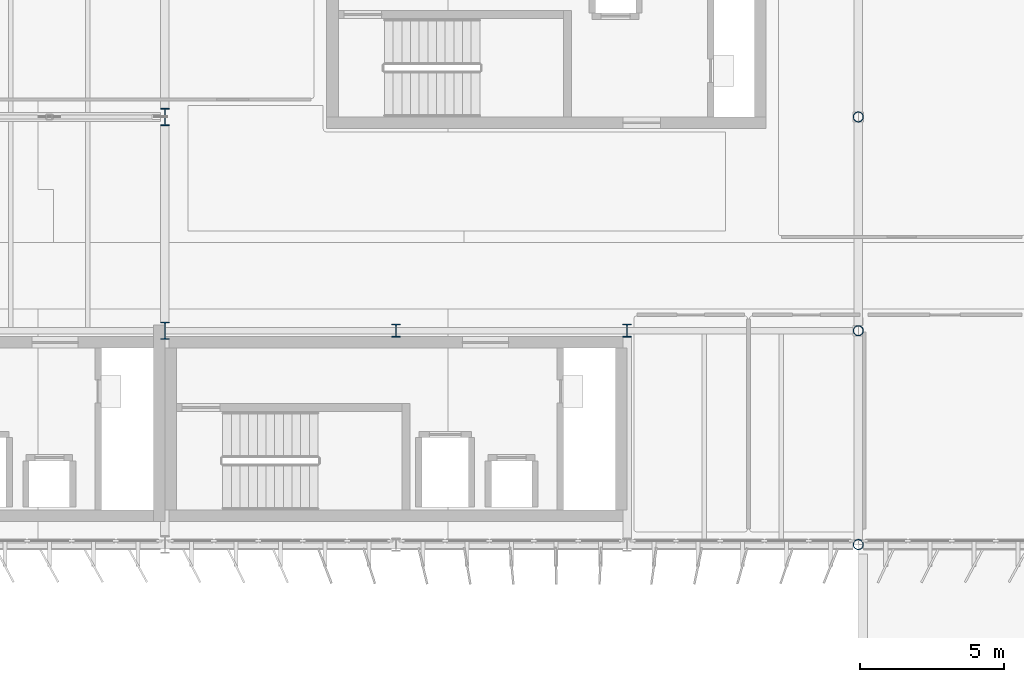
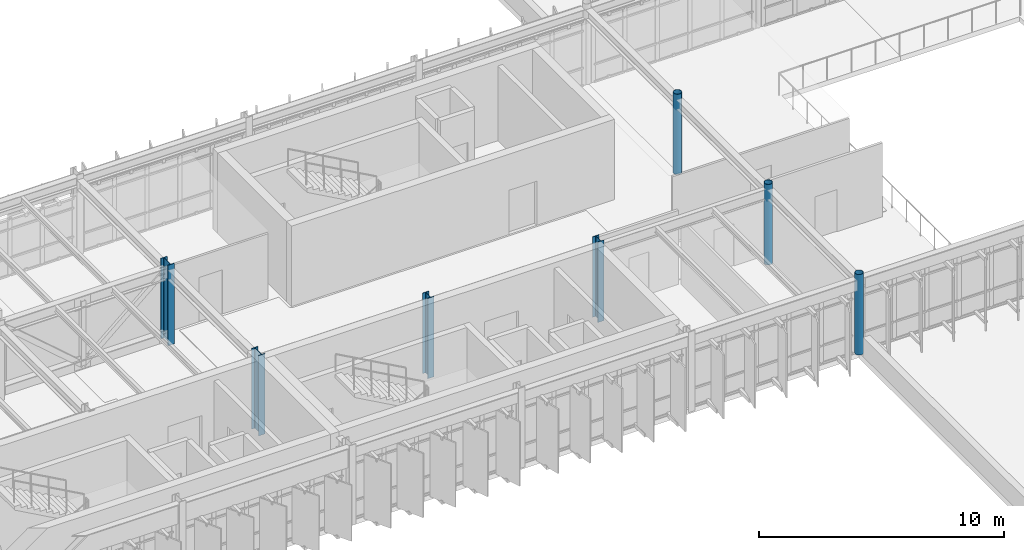
# One storey, part 2 of 56: 7 columns.
"""IFC4 building model written with IfcOpenShell, lengths in metres."""

import ifcopenshell
import ifcopenshell.guid

model = None  # the IFC model being written
_history = None  # IfcOwnerHistory: only IFC2X3 demands one
_inside = {}  # id of a spatial element -> (the spatial element, [elements in it])
_under = {}  # id of a project, library or spatial element -> (it, [spatial elements below it])
_declared = {}  # id of a project -> (the project, [libraries it declares])
_typed = {}  # id of a type object -> (the type object, [elements of that type])
_made_of = {}  # id of a material, layer set ... -> (it, [elements and type objects made of it])


def new_model(schema):
    """Start an empty IFC model of exactly this schema.

    Asked for "IFC4X3", IfcOpenShell would pick the latest addendum, in which some entities
    have other attributes; the version numbers below select the first issue.
    IFC2X3 requires an IfcOwnerHistory on every rooted entity: one is made here for all.
    """
    global model, _history
    if schema == "IFC4X3":
        model = ifcopenshell.file(schema_version=(4, 3, 0, 0))
    else:
        model = ifcopenshell.file(schema=schema)
    _inside.clear()
    _under.clear()
    _declared.clear()
    _typed.clear()
    _made_of.clear()
    _history = None
    if model.schema == "IFC2X3":
        org = make("IfcOrganization", Name="unknown")
        user = make(
            "IfcPersonAndOrganization",
            ThePerson=make("IfcPerson", FamilyName="unknown"),
            TheOrganization=org,
        )
        app = make(
            "IfcApplication",
            ApplicationDeveloper=org,
            Version="unknown",
            ApplicationFullName="unknown",
            ApplicationIdentifier="unknown",
        )
        _history = make(
            "IfcOwnerHistory",
            OwningUser=user,
            OwningApplication=app,
            ChangeAction="ADDED",
            CreationDate=0,
        )
    return model


def make(cls, **values):
    """One entity of the class cls with the attributes given. An attribute that is None is left unset."""
    return model.create_entity(
        cls, **{name: value for name, value in values.items() if value is not None}
    )


def rooted(cls, **values):
    """An entity with a GlobalId (a new one), such as an element, a storey or a relation."""
    return make(cls, GlobalId=ifcopenshell.guid.new(), OwnerHistory=_history, **values)


def si_unit(unit_type, name, prefix=None):
    """IfcSIUnit, for example si_unit("LENGTHUNIT", "METRE", prefix="MILLI")."""
    return make("IfcSIUnit", UnitType=unit_type, Prefix=prefix, Name=name)


def assignment(units):
    """IfcUnitAssignment: the units of a project."""
    return None if units is None else make("IfcUnitAssignment", Units=units)


def point(xyz):
    """IfcCartesianPoint."""
    return None if xyz is None else make("IfcCartesianPoint", Coordinates=xyz)


def direction(xyz):
    """IfcDirection."""
    return None if xyz is None else make("IfcDirection", DirectionRatios=xyz)


def frame(location, z_axis=None, x_axis=None):
    """IfcAxis2Placement3D, a coordinate frame: its origin and axes. An axis left out is left unset."""
    return make(
        "IfcAxis2Placement3D",
        Location=point(location),
        Axis=direction(z_axis),
        RefDirection=direction(x_axis),
    )


def frame_2d(location, x_axis=None):
    """IfcAxis2Placement2D, a coordinate frame in the plane: its origin and x axis."""
    return make(
        "IfcAxis2Placement2D", Location=point(location), RefDirection=direction(x_axis)
    )


def origin():
    """The frame at (0, 0, 0) with its axes left unset."""
    return frame((0.0, 0.0, 0.0))


def origin_2d():
    """The frame at (0, 0) in the plane with its x axis left unset."""
    return frame_2d((0.0, 0.0))


def place(relative_to, where):
    """IfcLocalPlacement: puts the frame where relative to a parent placement (None: the world)."""
    return make(
        "IfcLocalPlacement", PlacementRelTo=relative_to, RelativePlacement=where
    )


def context(
    kind, dimensions, precision=None, world=None, true_north=None, identifier=None
):
    """IfcGeometricRepresentationContext, for example the 3D "Model" context."""
    return make(
        "IfcGeometricRepresentationContext",
        ContextIdentifier=identifier,
        ContextType=kind,
        CoordinateSpaceDimension=dimensions,
        Precision=precision,
        WorldCoordinateSystem=world,
        TrueNorth=true_north,
    )


def subcontext(parent, identifier, kind, view, scale=None):
    """IfcGeometricRepresentationSubContext, for example "Body" below "Model"."""
    return make(
        "IfcGeometricRepresentationSubContext",
        ContextIdentifier=identifier,
        ContextType=kind,
        ParentContext=parent,
        TargetScale=scale,
        TargetView=view,
    )


def project(units=None, contexts=None):
    """IfcProject with its units and contexts."""
    return rooted(
        "IfcProject",
        Name="project",
        RepresentationContexts=contexts,
        UnitsInContext=assignment(units),
    )


def spatial(cls, under=None, at=None, **own):
    """A site, building, storey or space (cls), placed at a placement, below another one or the project."""
    s = rooted(cls, ObjectPlacement=at, **own)
    if under is not None:
        _under.setdefault(under.id(), (under, []))[1].append(s)
    return s


def profile(cls, at=None, kind="AREA", **sizes):
    """A parametric profile (cls). Its sizes go by their IFC names, for example OverallWidth=200.0."""
    return make(cls, ProfileType=kind, Position=at, **sizes)


def hollow_circle(**sizes):
    """IfcCircleHollowProfileDef."""
    return profile("IfcCircleHollowProfileDef", **sizes)


def i_section(**sizes):
    """IfcIShapeProfileDef."""
    return profile("IfcIShapeProfileDef", **sizes)


def extrude(swept, where, along, depth):
    """IfcExtrudedAreaSolid: the profile swept, set in the frame where, extruded along a direction by depth."""
    return make(
        "IfcExtrudedAreaSolid",
        SweptArea=swept,
        Position=where,
        ExtrudedDirection=direction(along),
        Depth=depth,
    )


def shape(context_of_items, identifier, shape_type, items):
    """IfcShapeRepresentation: the items that make up one representation, for example the "Body"."""
    return make(
        "IfcShapeRepresentation",
        ContextOfItems=context_of_items,
        RepresentationIdentifier=identifier,
        RepresentationType=shape_type,
        Items=items,
    )


def material(Name=None, Category=None):
    """IfcMaterial."""
    return make("IfcMaterial", Name=Name, Category=Category)


def material_profile(
    of_material, cross_section, Name=None, Category=None, Priority=None
):
    """IfcMaterialProfile: a cross section and its material."""
    return make(
        "IfcMaterialProfile",
        Name=Name,
        Material=of_material,
        Profile=cross_section,
        Priority=Priority,
        Category=Category,
    )


def profile_set(profiles, Name=None, composite=None):
    """IfcMaterialProfileSet."""
    return make(
        "IfcMaterialProfileSet",
        Name=Name,
        MaterialProfiles=profiles,
        CompositeProfile=composite,
    )


def made_of(thing, what):
    """Note that an element or type object is made of a material, layer set ...; save() writes the relation."""
    if what is not None:
        _made_of.setdefault(what.id(), (what, []))[1].append(thing)
    return thing


def type_object(cls, material=None, **own):
    """A type object (cls), such as IfcWallType, which elements share."""
    return made_of(rooted(cls, **own), material)


def element(
    cls,
    number,
    at=None,
    inside=None,
    cuts=None,
    type_object=None,
    material=None,
    context=None,
    identifier="Body",
    shape_type=None,
    held_by="IfcProductDefinitionShape",
    body=None,
    shapes=None,
    **own,
):
    """One element of the class cls, such as IfcWall. Its Tag is "e" and its number.

    at: its placement. inside: the storey or other place that contains it. cuts: it is an
    opening in that element (IfcRelVoidsElement). A single representation is given by context,
    identifier, shape_type and body (its items); several are given by shapes. held_by: the class
    of the entity that holds the representations. save() writes the other relations.
    """
    e = rooted(cls, Tag="e%d" % number, ObjectPlacement=at, **own)
    if body is not None:
        shapes = [shape(context, identifier, shape_type, body)]
    if shapes is not None:
        e.Representation = make(held_by, Representations=shapes)
    if inside is not None:
        _inside.setdefault(inside.id(), (inside, []))[1].append(e)
    if cuts is not None:
        rooted(
            "IfcRelVoidsElement", RelatingBuildingElement=cuts, RelatedOpeningElement=e
        )
    if type_object is not None:
        _typed.setdefault(type_object.id(), (type_object, []))[1].append(e)
    return made_of(e, material)


def aggregate(whole, parts):
    """IfcRelAggregates: a whole, such as a stair, and the parts it consists of."""
    return rooted("IfcRelAggregates", RelatingObject=whole, RelatedObjects=parts)


def save(model, path):
    """Write the relations noted so far, then the file.

    IfcRelAggregates (storeys below a building ...), IfcRelContainedInSpatialStructure (elements
    in a storey), IfcRelDefinesByType, IfcRelAssociatesMaterial and IfcRelDeclares: one each for
    every whole, place, type object, material and project.
    """
    for whole, parts in _under.values():
        aggregate(whole, parts)
    for where, things in _inside.values():
        rooted(
            "IfcRelContainedInSpatialStructure",
            RelatedElements=things,
            RelatingStructure=where,
        )
    for kind, things in _typed.values():
        rooted("IfcRelDefinesByType", RelatedObjects=things, RelatingType=kind)
    for what, things in _made_of.values():
        rooted("IfcRelAssociatesMaterial", RelatedObjects=things, RelatingMaterial=what)
    for by, libraries in _declared.values():
        rooted("IfcRelDeclares", RelatingContext=by, RelatedDefinitions=libraries)
    model.write(path)


model = new_model("IFC4")

# Units and contexts
model_context = context("Model", 3, precision=1e-05, world=origin(), true_north=direction((0.0, 1.0)))
body_context = subcontext(model_context, "Body", "Model", "MODEL_VIEW")
ifc_project = project(units=[si_unit("LENGTHUNIT", "METRE"), si_unit("AREAUNIT", "SQUARE_METRE"), si_unit("VOLUMEUNIT", "CUBIC_METRE"), si_unit("PLANEANGLEUNIT", "RADIAN"), si_unit("MASSUNIT", "GRAM", prefix="KILO")], contexts=[model_context])

# Site, building, storey
site_placement = place(None, origin())
site = spatial("IfcSite", under=ifc_project, at=site_placement, CompositionType="ELEMENT")
building_placement = place(site_placement, origin())
building = spatial("IfcBuilding", under=site, at=building_placement, Name="Valkorina Park Police Headquarters", CompositionType="ELEMENT")
storey_placement = place(building_placement, frame((0.0, 0.0, 14.10009765625)))
storey = spatial("IfcBuildingStorey", under=building, at=storey_placement, Name="L04", CompositionType="ELEMENT", Elevation=14.10009765625)

# Columns
ifc_material = material(Name="Steel S355", Category="steel")
ifc_material_profile_1 = material_profile(ifc_material, hollow_circle(Radius=0.177734375, WallThickness=0.01611328125, at=origin_2d()), Name="CHS 355.6x16")
ifc_profile_set_1 = profile_set([ifc_material_profile_1], Name="Steel S355")
column_type_1 = type_object("IfcColumnType", Name="COL-S355-CHS355-EXT", PredefinedType="COLUMN", material=ifc_profile_set_1)
column_placement = place(storey_placement, frame((56.800048828125, 37.0, 0.0), z_axis=(0.0, 0.0, 1.0), x_axis=(1.0, 0.0, 0.0)))
element("IfcColumn", 1, at=column_placement, inside=storey, type_object=column_type_1, Name="L04 Column 0878", PredefinedType="COLUMN", context=body_context, shape_type="SweptSolid", body=[
    extrude(hollow_circle(Radius=0.177734375, WallThickness=0.01611328125, at=origin_2d()), origin(), (0.0, 0.0, 1.0), 4.0),
])
ifc_material_profile_2 = material_profile(ifc_material, hollow_circle(Radius=0.177734375, WallThickness=0.01611328125, at=origin_2d()), Name="CHS 355.6x16")
ifc_profile_set_2 = profile_set([ifc_material_profile_2], Name="Steel S355")
column_type_2 = type_object("IfcColumnType", Name="COL-S355-CHS355-INT", PredefinedType="COLUMN", material=ifc_profile_set_2)
for number, where, z_axis, x_axis, name in (
    (2, (56.800048828125, 44.39990234375, 0.0), (0.0, 0.0, 1.0), (1.0, 0.0, 0.0), "L04 Column 0879"),
    (3, (56.800048828125, 51.800048828125, 0.0), (0.0, 0.0, 1.0), (1.0, 0.0, 0.0), "L04 Column 0880"),
):
    element("IfcColumn", number, at=place(storey_placement, frame(where, z_axis=z_axis, x_axis=x_axis)), inside=storey, type_object=column_type_2, Name=name, PredefinedType="COLUMN", context=body_context, shape_type="SweptSolid", body=[
        extrude(hollow_circle(Radius=0.177734375, WallThickness=0.01611328125, at=origin_2d()), origin(), (0.0, 0.0, 1.0), 4.0),
    ])
ifc_material_profile_3 = material_profile(ifc_material, i_section(OverallWidth=0.300048828125, OverallDepth=0.449951171875, WebThickness=0.013916015625, FlangeThickness=0.02587890625, FilletRadius=0.027099609375, at=origin_2d()), Name="HEB 450")
ifc_profile_set_3 = profile_set([ifc_material_profile_3], Name="Steel S355")
column_type_3 = type_object("IfcColumnType", Name="COL-S355-HEB450-INT", PredefinedType="COLUMN", material=ifc_profile_set_3)
for number, where, z_axis, x_axis, name in (
    (4, (40.800048828125, 44.39990234375, 0.0), (0.0, 0.0, 1.0), (1.0, 0.0, 0.0), "L04 Column 0873"),
    (5, (48.800048828125, 44.39990234375, 0.0), (0.0, 0.0, 1.0), (1.0, 0.0, 0.0), "L04 Column 0876"),
):
    element("IfcColumn", number, at=place(storey_placement, frame(where, z_axis=z_axis, x_axis=x_axis)), inside=storey, type_object=column_type_3, Name=name, PredefinedType="COLUMN", context=body_context, shape_type="SweptSolid", body=[
        extrude(i_section(OverallWidth=0.300048828125, OverallDepth=0.449951171875, WebThickness=0.013916015625, FlangeThickness=0.02587890625, FilletRadius=0.027099609375, at=origin_2d()), origin(), (0.0, 0.0, 1.0), 4.0),
    ])
ifc_material_profile_4 = material_profile(ifc_material, i_section(OverallWidth=0.300048828125, OverallDepth=0.60009765625, WebThickness=0.015380859375, FlangeThickness=0.030029296875, FilletRadius=0.027099609375, at=origin_2d()), Name="HEB 600")
ifc_profile_set_4 = profile_set([ifc_material_profile_4], Name="Steel S355")
column_type_4 = type_object("IfcColumnType", Name="COL-S355-HEB600-INT", PredefinedType="COLUMN", material=ifc_profile_set_4)
for number, where, z_axis, x_axis, name in (
    (6, (32.800048828125, 44.39990234375, 0.0), (0.0, 0.0, 1.0), (1.0, 0.0, 0.0), "L04 Column 0869"),
    (7, (32.800048828125, 51.800048828125, 0.0), (0.0, 0.0, 1.0), (1.0, 0.0, 0.0), "L04 Column 0870"),
):
    element("IfcColumn", number, at=place(storey_placement, frame(where, z_axis=z_axis, x_axis=x_axis)), inside=storey, type_object=column_type_4, Name=name, PredefinedType="COLUMN", context=body_context, shape_type="SweptSolid", body=[
        extrude(i_section(OverallWidth=0.300048828125, OverallDepth=0.60009765625, WebThickness=0.015380859375, FlangeThickness=0.030029296875, FilletRadius=0.027099609375, at=origin_2d()), origin(), (0.0, 0.0, 1.0), 4.0),
    ])

save(model, "model.ifc")
